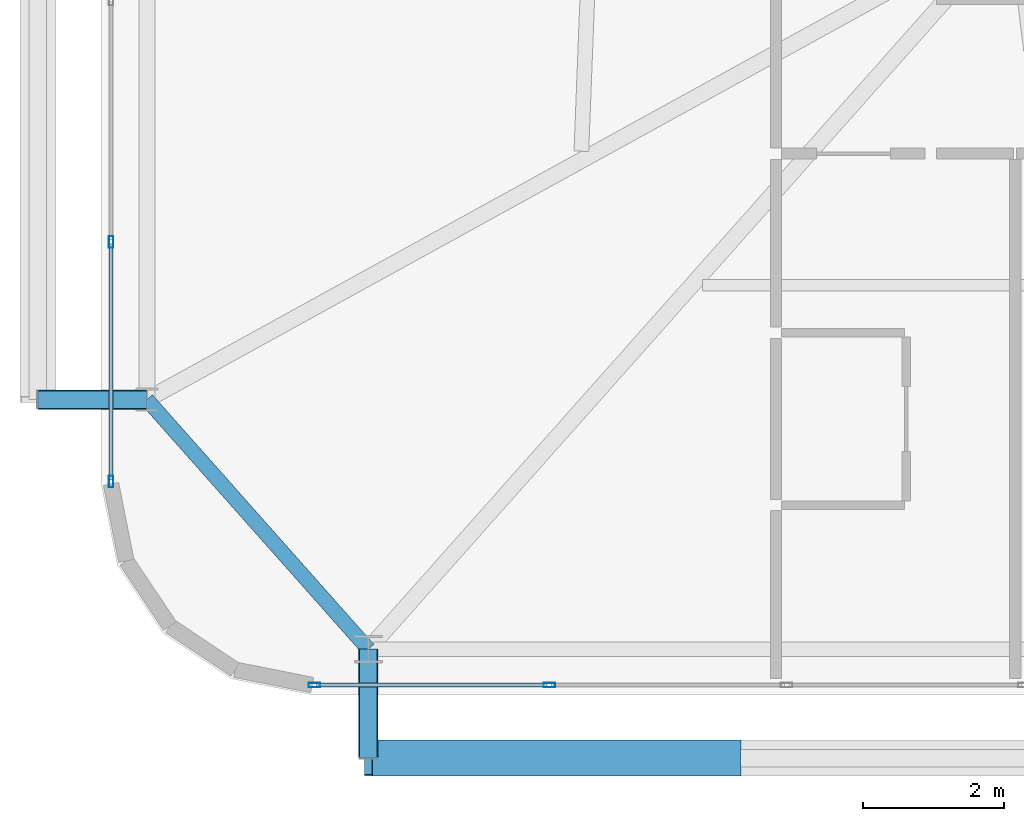
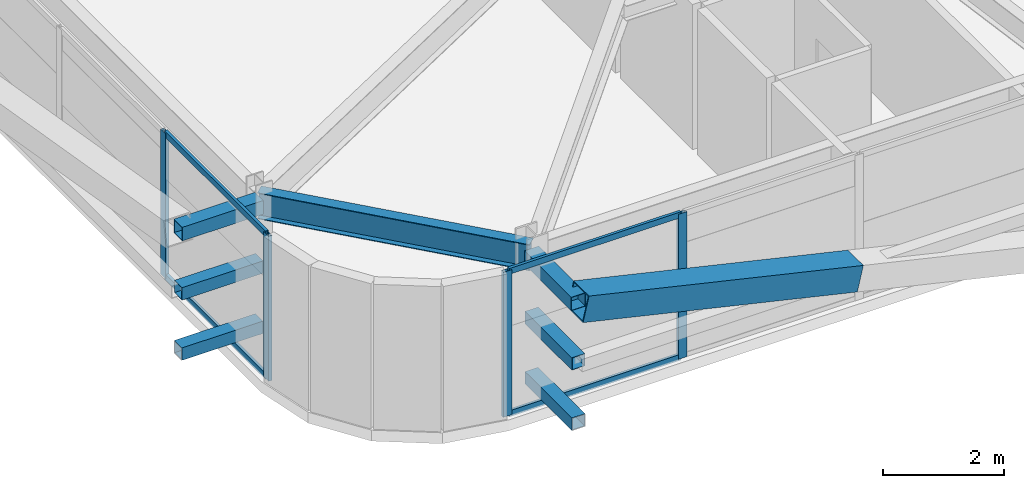
# One storey, part 5 of 58: 15 members, 1 beam, 2 elements without a shape of their own.
"""IFC4 building model written with IfcOpenShell, lengths in metres."""

from ifc_helpers import new_model, si_unit, direction, frame, origin, origin_2d, place, context, subcontext, project, spatial, hollow_rectangle, i_section, extrude, source, transform, mapped, material, layer, layer_set, material_profile, profile_set, type_object, element, aggregate, save


model = new_model("IFC4")

# Units and contexts
model_context = context("Model", 3, precision=1e-05, world=origin(), true_north=direction((0.0, 1.0)))
body_context = subcontext(model_context, "Body", "Model", "MODEL_VIEW")
ifc_project = project(units=[si_unit("LENGTHUNIT", "METRE"), si_unit("AREAUNIT", "SQUARE_METRE"), si_unit("VOLUMEUNIT", "CUBIC_METRE"), si_unit("PLANEANGLEUNIT", "RADIAN"), si_unit("MASSUNIT", "GRAM", prefix="KILO")], contexts=[model_context])

# Site, building, storey
site_placement = place(None, origin())
site = spatial("IfcSite", under=ifc_project, at=site_placement, CompositionType="ELEMENT")
building_placement = place(site_placement, origin())
building = spatial("IfcBuilding", under=site, at=building_placement, Name="Taldren Reach Tower", CompositionType="ELEMENT")
storey_placement = place(building_placement, frame((0.0, 0.0, 51.449951171875)))
storey = spatial("IfcBuildingStorey", under=building, at=storey_placement, Name="L15", CompositionType="ELEMENT", Elevation=51.449951171875)

# Beam
ifc_material_1 = material(Name="Steel Gr 350 (350PLUS)", Category="steel")
ifc_material_profile_1 = material_profile(ifc_material_1, i_section(OverallWidth=0.208984375, OverallDepth=0.528076171875, WebThickness=0.009521484375, FlangeThickness=0.01318359375, at=origin_2d()), Name="530UB82.0")
ifc_profile_set_1 = profile_set([ifc_material_profile_1], Name="Steel Gr 350 (350PLUS)")
beam_type = type_object("IfcBeamType", Name="SP-UB530B", PredefinedType="SPANDREL", material=ifc_profile_set_1)
shared_shape_1 = source(origin(), body_context, "Body", "SweptSolid", [
    extrude(i_section(OverallWidth=0.208984375, OverallDepth=0.528076171875, WebThickness=0.009521484375, FlangeThickness=0.01318359375, at=origin_2d()), origin(), (0.0, 0.0, 1.0), 4.74609375),
])
beam_placement = place(storey_placement, frame((5.64990234375, 5.699951171875, 2.666015625), z_axis=(0.663721843779, -0.747979487747, 0.0), x_axis=(0.747979487747, 0.663721843779, 0.0)))
element("IfcBeam", 1, at=beam_placement, inside=storey, type_object=beam_type, Name="Perimeter spandrel B1 W1-S1 L15", PredefinedType="SPANDREL", context=body_context, shape_type="MappedRepresentation", body=[
    mapped(shared_shape_1, transform((0.0, 0.0, 0.0), scale=1.0)),
])

# Members
ifc_material_2 = material(Name="Steel Gr 450 (C450L0)", Category="steel")
ifc_material_profile_2 = material_profile(ifc_material_2, hollow_rectangle(XDim=0.27490234375, YDim=0.27490234375, WallThickness=0.00927734375, at=origin_2d()), Name="275x275x9.3SHS")
ifc_profile_set_2 = profile_set([ifc_material_profile_2], Name="Steel Gr 450 (C450L0)")
member_type_1 = type_object("IfcMemberType", Name="MB-TIE273", PredefinedType="STRUT", material=ifc_profile_set_2)
shared_shape_2 = source(origin(), body_context, "Body", "SweptSolid", [
    extrude(hollow_rectangle(XDim=0.27490234375, YDim=0.27490234375, WallThickness=0.00927734375, at=origin_2d()), origin(), (0.0, 0.0, 1.0), 1.5498046875),
])
for number, where, z_axis, x_axis, name in (
    (2, (8.800048828125, 2.14990234375, 2.650146484375), (0.0, -1.0, 0.0), (1.0, 0.0, 0.0), "Exoskeleton diaphragm tie strut B1-S1 L15"),
    (3, (5.64990234375, 5.699951171875, 2.650146484375), (-1.0, 0.0, 0.0), (0.0, -1.0, 0.0), "Exoskeleton diaphragm tie strut B1-W1 L15"),
):
    element("IfcMember", number, at=place(storey_placement, frame(where, z_axis=z_axis, x_axis=x_axis)), inside=storey, type_object=member_type_1, Name=name, PredefinedType="STRUT", context=body_context, shape_type="MappedRepresentation", body=[
        mapped(shared_shape_2, transform((0.0, 0.0, 0.0), scale=1.0)),
    ])
ifc_material_profile_3 = material_profile(ifc_material_2, hollow_rectangle(XDim=0.510009765625, YDim=0.510009765625, WallThickness=0.02001953125, at=origin_2d()), Name="510x510x20.0SHS")
ifc_profile_set_3 = profile_set([ifc_material_profile_3], Name="Steel Gr 450 (C450L0)")
member_type_2 = type_object("IfcMemberType", Name="MB-EXO508", PredefinedType="BRACE", material=ifc_profile_set_3)
shared_shape_3 = source(origin(), body_context, "Body", "SweptSolid", [
    extrude(hollow_rectangle(XDim=0.510009765625, YDim=0.510009765625, WallThickness=0.02001953125, at=origin_2d()), origin(), (0.0, 0.0, 1.0), 5.37890625),
])
member_1_placement = place(storey_placement, frame((14.0400390625, 0.60009765625, 1.43505859375), z_axis=(-0.97415197996, 0.0, 0.225893603143), x_axis=(0.0, -1.0, 0.0)))
element("IfcMember", 4, at=member_1_placement, inside=storey, type_object=member_type_2, Name="Exoskeleton Diagrid Brace B1-S1 L15", PredefinedType="BRACE", context=body_context, shape_type="MappedRepresentation", body=[
    mapped(shared_shape_3, transform((0.0, 0.0, 0.0), scale=1.0)),
])
ifc_material_3 = material(Name="Steel Gr 350 (C350L0)", Category="steel")
ifc_material_profile_4 = material_profile(ifc_material_3, hollow_rectangle(XDim=0.25, YDim=0.25, WallThickness=0.010009765625, at=origin_2d()), Name="250x250x10.0SHS")
ifc_profile_set_4 = profile_set([ifc_material_profile_4], Name="Steel Gr 350 (C350L0)")
member_type_3 = type_object("IfcMemberType", Name="MB-POST250", PredefinedType="POST", material=ifc_profile_set_4)
shared_shape_4 = source(origin(), body_context, "Body", "SweptSolid", [
    extrude(hollow_rectangle(XDim=0.25, YDim=0.25, WallThickness=0.010009765625, at=origin_2d()), origin(), (0.0, 0.0, 1.0), 1.5498046875),
])
for number, where, z_axis, x_axis, name in (
    (5, (8.800048828125, 2.14990234375, 0.219970703125), (0.0, -1.0, 0.0), (1.0, 0.0, 0.0), "Exoskeleton base diaphragm tie strut B1-S1 L15"),
    (6, (5.64990234375, 5.699951171875, 0.219970703125), (-1.0, 0.0, 0.0), (0.0, -1.0, 0.0), "Exoskeleton base diaphragm tie strut B1-W1 L15"),
    (7, (8.800048828125, 2.14990234375, 1.43505859375), (0.0, -1.0, 0.0), (1.0, 0.0, 0.0), "Exoskeleton mid-tier diaphragm tie B1-S1 L15"),
    (8, (5.64990234375, 5.699951171875, 1.43505859375), (-1.0, 0.0, 0.0), (0.0, -1.0, 0.0), "Exoskeleton mid-tier diaphragm tie B1-W1 L15"),
):
    element("IfcMember", number, at=place(storey_placement, frame(where, z_axis=z_axis, x_axis=x_axis)), inside=storey, type_object=member_type_3, Name=name, PredefinedType="POST", context=body_context, shape_type="MappedRepresentation", body=[
        mapped(shared_shape_4, transform((0.0, 0.0, 0.0), scale=1.0)),
    ])

# Curtain wall, members
ifc_material_4 = material(Name="Aluminium and Low-E Glass Unitised System", Category="aluminium")
ifc_layer = layer(ifc_material_4, 0.159912109375)
ifc_layer_set = layer_set([ifc_layer], Name="Aluminium and Low-E Glass Unitised System")
curtain_wall_type = type_object("IfcCurtainWallType", Name="CW-SYS-2", PredefinedType="NOTDEFINED", material=ifc_layer_set)
curtain_wall_1_placement = place(storey_placement, origin())
curtain_wall_1 = element("IfcCurtainWall", 9, at=curtain_wall_1_placement, inside=storey, type_object=curtain_wall_type, Name="Unitised curtain wall CW-L15-S", PredefinedType="NOTDEFINED")
ifc_material_5 = material(Name="Anodised Aluminium 6063-T6", Category="aluminium")
ifc_material_profile_5 = material_profile(ifc_material_5, hollow_rectangle(XDim=0.06494140625, YDim=0.1650390625, WallThickness=0.00390625, at=origin_2d()), Name="ALU-165x65x4RHS")
ifc_profile_set_5 = profile_set([ifc_material_profile_5], Name="Anodised Aluminium 6063-T6")
member_type_4 = type_object("IfcMemberType", Name="CW-MUL-165", PredefinedType="MULLION", material=ifc_profile_set_5)
shared_shape_5 = source(origin(), body_context, "Body", "SweptSolid", [
    extrude(hollow_rectangle(XDim=0.06494140625, YDim=0.1650390625, WallThickness=0.00390625, at=origin_2d()), origin(), (0.0, 0.0, 1.0), 2.929931640625),
])
member_2_placement = place(storey_placement, frame((8.032470703125, 1.639892578125, 0.0), z_axis=(0.0, 0.0, 1.0), x_axis=(0.0, 1.0, 0.0)))
member_2 = element("IfcMember", 10, at=member_2_placement, type_object=member_type_4, Name="CW-2 mullion 1", PredefinedType="MULLION", context=body_context, shape_type="MappedRepresentation", body=[
    mapped(shared_shape_5, transform((0.0, 0.0, 0.0), scale=1.0)),
])
member_3_placement = place(storey_placement, frame((11.375, 1.639892578125, 0.0), z_axis=(0.0, 0.0, 1.0), x_axis=(0.0, 1.0, 0.0)))
member_3 = element("IfcMember", 11, at=member_3_placement, type_object=member_type_4, Name="CW-2 mullion 2", PredefinedType="MULLION", context=body_context, shape_type="MappedRepresentation", body=[
    mapped(shared_shape_5, transform((0.0, 0.0, 0.0), scale=1.0)),
])

curtain_wall_2_placement = place(storey_placement, origin())
curtain_wall_2 = element("IfcCurtainWall", 12, at=curtain_wall_2_placement, inside=storey, type_object=curtain_wall_type, Name="Unitised curtain wall CW-L15-W", PredefinedType="NOTDEFINED")
member_4_placement = place(storey_placement, frame((5.139892578125, 7.9443359375, 0.0), z_axis=(0.0, 0.0, 1.0), x_axis=(1.0, 0.0, 0.0)))
member_4 = element("IfcMember", 13, at=member_4_placement, type_object=member_type_4, Name="CW-2 mullion 9", PredefinedType="MULLION", context=body_context, shape_type="MappedRepresentation", body=[
    mapped(shared_shape_5, transform((0.0, 0.0, 0.0), scale=1.0)),
])
member_5_placement = place(storey_placement, frame((5.139892578125, 4.532470703125, 0.0), z_axis=(0.0, 0.0, 1.0), x_axis=(1.0, 0.0, 0.0)))
member_5 = element("IfcMember", 14, at=member_5_placement, type_object=member_type_4, Name="CW-2 mullion 10", PredefinedType="MULLION", context=body_context, shape_type="MappedRepresentation", body=[
    mapped(shared_shape_5, transform((0.0, 0.0, 0.0), scale=1.0)),
])

# Member
ifc_material_profile_6 = material_profile(ifc_material_5, hollow_rectangle(XDim=0.054931640625, YDim=0.1201171875, WallThickness=0.0029296875, at=origin_2d()), Name="ALU-120x55x3RHS")
ifc_profile_set_6 = profile_set([ifc_material_profile_6], Name="Anodised Aluminium 6063-T6")
member_type_5 = type_object("IfcMemberType", Name="CW-TRN-135", PredefinedType="USERDEFINED", material=ifc_profile_set_6)
shared_shape_6 = source(origin(), body_context, "Body", "SweptSolid", [
    extrude(hollow_rectangle(XDim=0.054931640625, YDim=0.1201171875, WallThickness=0.0029296875, at=origin_2d()), origin(), (0.0, 0.0, 1.0), 3.277587890625),
])
member_6_placement = place(storey_placement, frame((8.06494140625, 1.639892578125, 0.027587890625), z_axis=(1.0, 0.0, 0.0), x_axis=(0.0, 1.0, 0.0)))
member_6 = element("IfcMember", 15, at=member_6_placement, type_object=member_type_5, Name="CW-2 transom 1.1", ObjectType="TRANSOM", PredefinedType="USERDEFINED", context=body_context, shape_type="MappedRepresentation", body=[
    mapped(shared_shape_6, transform((0.0, 0.0, 0.0), scale=1.0)),
])

member_7_placement = place(storey_placement, frame((8.06494140625, 1.639892578125, 2.902587890625), z_axis=(1.0, 0.0, 0.0), x_axis=(0.0, 1.0, 0.0)))
member_7 = element("IfcMember", 16, at=member_7_placement, type_object=member_type_5, Name="CW-2 transom 1.2", ObjectType="TRANSOM", PredefinedType="USERDEFINED", context=body_context, shape_type="MappedRepresentation", body=[
    mapped(shared_shape_6, transform((0.0, 0.0, 0.0), scale=1.0)),
])

aggregate(curtain_wall_1, [member_2, member_3, member_6, member_7])

shared_shape_7 = source(origin(), body_context, "Body", "SweptSolid", [
    extrude(hollow_rectangle(XDim=0.054931640625, YDim=0.1201171875, WallThickness=0.0029296875, at=origin_2d()), origin(), (0.0, 0.0, 1.0), 3.346923828125),
])
member_8_placement = place(storey_placement, frame((5.139892578125, 7.911865234375, 0.027587890625), z_axis=(0.0, -1.0, 0.0), x_axis=(1.0, 0.0, 0.0)))
member_8 = element("IfcMember", 17, at=member_8_placement, type_object=member_type_5, Name="CW-2 transom 9.1", ObjectType="TRANSOM", PredefinedType="USERDEFINED", context=body_context, shape_type="MappedRepresentation", body=[
    mapped(shared_shape_7, transform((0.0, 0.0, 0.0), scale=1.0)),
])

member_9_placement = place(storey_placement, frame((5.139892578125, 7.911865234375, 2.902587890625), z_axis=(0.0, -1.0, 0.0), x_axis=(1.0, 0.0, 0.0)))
member_9 = element("IfcMember", 18, at=member_9_placement, type_object=member_type_5, Name="CW-2 transom 9.2", ObjectType="TRANSOM", PredefinedType="USERDEFINED", context=body_context, shape_type="MappedRepresentation", body=[
    mapped(shared_shape_7, transform((0.0, 0.0, 0.0), scale=1.0)),
])

aggregate(curtain_wall_2, [member_4, member_5, member_8, member_9])

save(model, "model.ifc")
